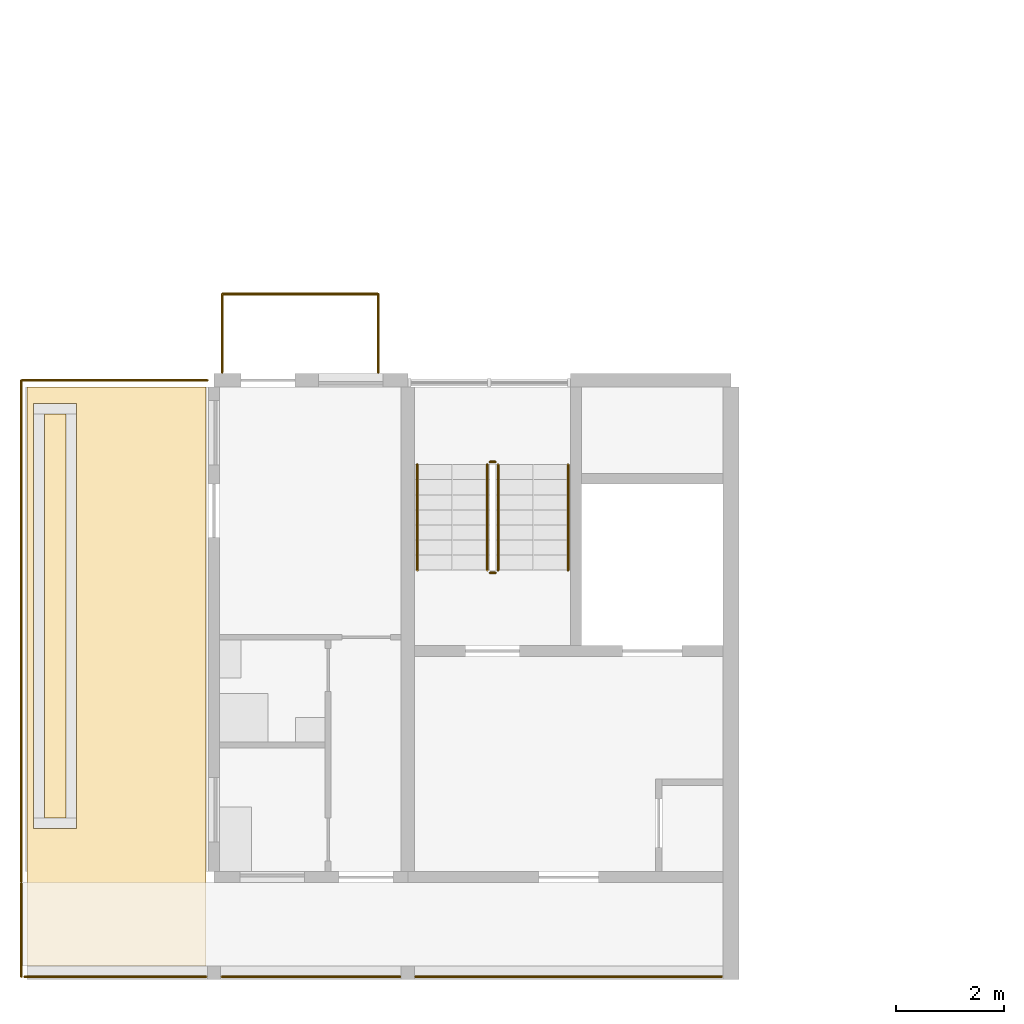
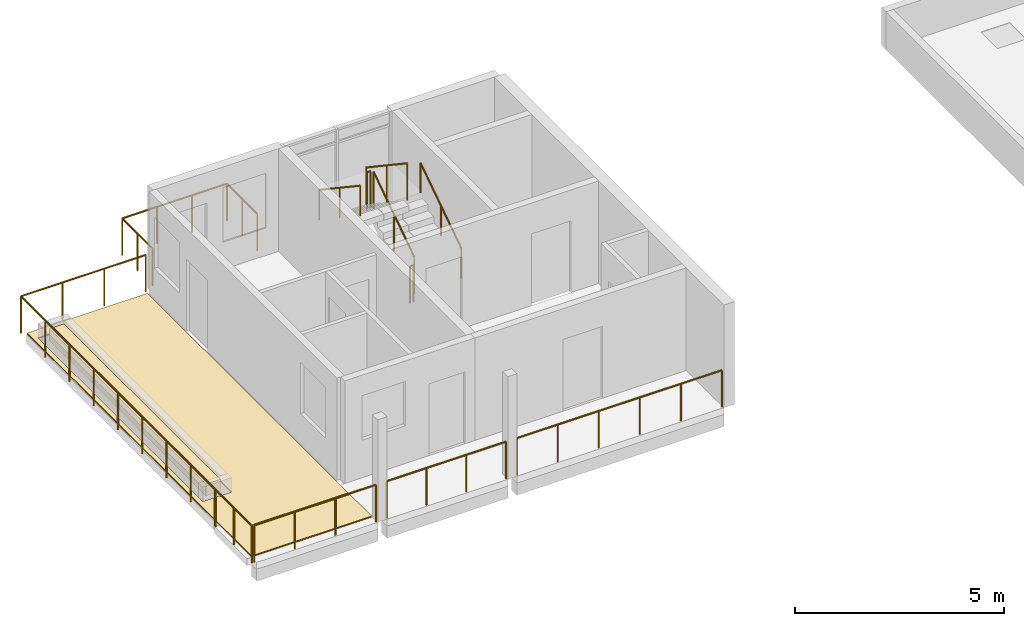
# One storey, part 31 of 41: 12 railings, 3 coverings.
"""IFC4 building model written with IfcOpenShell, lengths in metres."""

from ifc_helpers import new_model, si_unit, direction, frame, origin, origin_2d, place, context, subcontext, project, spatial, polyline, circle, outline, extrude, material, layer, layer_set, type_object, element, save


model = new_model("IFC4")

# Units and contexts
model_context = context("Model", 3, precision=1e-05, world=origin(), true_north=direction((0.0, 1.0)))
body_context = subcontext(model_context, "Body", "Model", "MODEL_VIEW")
ifc_project = project(units=[si_unit("LENGTHUNIT", "METRE"), si_unit("AREAUNIT", "SQUARE_METRE"), si_unit("VOLUMEUNIT", "CUBIC_METRE"), si_unit("PLANEANGLEUNIT", "RADIAN"), si_unit("MASSUNIT", "GRAM", prefix="KILO")], contexts=[model_context])

# Site, building, storey
site_placement = place(None, origin())
site = spatial("IfcSite", under=ifc_project, at=site_placement, CompositionType="ELEMENT")
building_placement = place(site_placement, origin())
building = spatial("IfcBuilding", under=site, at=building_placement, Name="Ridgestep Commons", CompositionType="ELEMENT")
storey_placement = place(building_placement, frame((0.0, 0.0, 39.0)))
storey = spatial("IfcBuildingStorey", under=building, at=storey_placement, Name="L13", CompositionType="ELEMENT", Elevation=39.0)

# Railings
ifc_material_1 = material(Name="Structural steel S355JR", Category="steel")
railing_type_1 = type_object("IfcRailingType", Name="Guard 1100", PredefinedType="GUARDRAIL", material=ifc_material_1)
railing_1_placement = place(storey_placement, frame((15.62109375, 13.571044921875, 0.0)))
element("IfcRailing", 1, at=railing_1_placement, inside=storey, type_object=railing_type_1, Name="Guard TD-A1R2-GD", PredefinedType="GUARDRAIL", context=body_context, shape_type="SweptSolid", body=[
    extrude(circle(Radius=0.02392578125, at=origin_2d()), frame((0.0, 0.0, 1.076171875), z_axis=(0.0, 1.0, 0.0), x_axis=(-1.0, 0.0, 0.0)), (0.0, 0.0, 1.0), 9.303955078125),
    extrude(circle(Radius=0.02392578125, at=origin_2d()), frame((0.0, 9.303955078125, 1.076171875), z_axis=(1.0, 0.0, 0.0), x_axis=(0.0, 1.0, 0.0)), (0.0, 0.0, 1.0), 3.4580078125),
    extrude(circle(Radius=0.02099609375, at=origin_2d()), origin(), (0.0, 0.0, 1.0), 1.052001953125),
    extrude(circle(Radius=0.02099609375, at=origin_2d()), frame((0.0, 1.1630859375, 0.0)), (0.0, 0.0, 1.0), 1.052001953125),
    extrude(circle(Radius=0.02099609375, at=origin_2d()), frame((0.0, 2.325927734375, 0.0)), (0.0, 0.0, 1.0), 1.052001953125),
    extrude(circle(Radius=0.02099609375, at=origin_2d()), frame((0.0, 3.489013671875, 0.0)), (0.0, 0.0, 1.0), 1.052001953125),
    extrude(circle(Radius=0.02099609375, at=origin_2d()), frame((0.0, 4.65185546875, 0.0)), (0.0, 0.0, 1.0), 1.052001953125),
    extrude(circle(Radius=0.02099609375, at=origin_2d()), frame((0.0, 5.81494140625, 0.0)), (0.0, 0.0, 1.0), 1.052001953125),
    extrude(circle(Radius=0.02099609375, at=origin_2d()), frame((0.0, 6.97802734375, 0.0)), (0.0, 0.0, 1.0), 1.052001953125),
    extrude(circle(Radius=0.02099609375, at=origin_2d()), frame((0.0, 8.140869140625, 0.0)), (0.0, 0.0, 1.0), 1.052001953125),
    extrude(circle(Radius=0.02099609375, at=origin_2d()), frame((0.0, 9.303955078125, 0.0)), (0.0, 0.0, 1.0), 1.052001953125),
    extrude(circle(Radius=0.02099609375, at=origin_2d()), frame((1.152587890625, 9.303955078125, 0.0)), (0.0, 0.0, 1.0), 1.052001953125),
    extrude(circle(Radius=0.02099609375, at=origin_2d()), frame((2.305419921875, 9.303955078125, 0.0)), (0.0, 0.0, 1.0), 1.052001953125),
    extrude(circle(Radius=0.02099609375, at=origin_2d()), frame((3.4580078125, 9.303955078125, 0.0)), (0.0, 0.0, 1.0), 1.052001953125),
])
railing_2_placement = place(storey_placement, frame((15.68408203125, 11.800048828125, 0.0)))
element("IfcRailing", 2, at=railing_2_placement, inside=storey, type_object=railing_type_1, Name="Gallery guard A 13.1", PredefinedType="GUARDRAIL", context=body_context, shape_type="SweptSolid", body=[
    extrude(circle(Radius=0.02392578125, at=origin_2d()), frame((0.0, 0.0, 1.076171875), z_axis=(1.0, 0.0, 0.0), x_axis=(0.0, 1.0, 0.0)), (0.0, 0.0, 1.0), 3.369873046875),
    extrude(circle(Radius=0.02099609375, at=origin_2d()), origin(), (0.0, 0.0, 1.0), 1.052001953125),
    extrude(circle(Radius=0.02099609375, at=origin_2d()), frame((1.123291015625, 0.0, 0.0)), (0.0, 0.0, 1.0), 1.052001953125),
    extrude(circle(Radius=0.02099609375, at=origin_2d()), frame((2.24658203125, 0.0, 0.0)), (0.0, 0.0, 1.0), 1.052001953125),
    extrude(circle(Radius=0.02099609375, at=origin_2d()), frame((3.369873046875, 0.0, 0.0)), (0.0, 0.0, 1.0), 1.052001953125),
])
railing_3_placement = place(storey_placement, frame((15.62109375, 11.800048828125, 0.0)))
element("IfcRailing", 3, at=railing_3_placement, inside=storey, type_object=railing_type_1, Name="Gallery end guard A 13.1W", PredefinedType="GUARDRAIL", context=body_context, shape_type="SweptSolid", body=[
    extrude(circle(Radius=0.02392578125, at=origin_2d()), frame((0.0, 0.0, 1.076171875), z_axis=(0.0, 1.0, 0.0), x_axis=(-1.0, 0.0, 0.0)), (0.0, 0.0, 1.0), 1.72900390625),
    extrude(circle(Radius=0.02099609375, at=origin_2d()), origin(), (0.0, 0.0, 1.0), 1.052001953125),
    extrude(circle(Radius=0.02099609375, at=origin_2d()), frame((0.0, 0.864501953125, 0.0)), (0.0, 0.0, 1.0), 1.052001953125),
    extrude(circle(Radius=0.02099609375, at=origin_2d()), frame((0.0, 1.72900390625, 0.0)), (0.0, 0.0, 1.0), 1.052001953125),
])
railing_4_placement = place(storey_placement, frame((19.345947265625, 11.800048828125, 0.0)))
element("IfcRailing", 4, at=railing_4_placement, inside=storey, type_object=railing_type_1, Name="Gallery guard A 13.2", PredefinedType="GUARDRAIL", context=body_context, shape_type="SweptSolid", body=[
    extrude(circle(Radius=0.02392578125, at=origin_2d()), frame((0.0, 0.0, 1.076171875), z_axis=(1.0, 0.0, 0.0), x_axis=(0.0, 1.0, 0.0)), (0.0, 0.0, 1.0), 3.30810546875),
    extrude(circle(Radius=0.02099609375, at=origin_2d()), origin(), (0.0, 0.0, 1.0), 1.052001953125),
    extrude(circle(Radius=0.02099609375, at=origin_2d()), frame((1.102783203125, 0.0, 0.0)), (0.0, 0.0, 1.0), 1.052001953125),
    extrude(circle(Radius=0.02099609375, at=origin_2d()), frame((2.205322265625, 0.0, 0.0)), (0.0, 0.0, 1.0), 1.052001953125),
    extrude(circle(Radius=0.02099609375, at=origin_2d()), frame((3.30810546875, 0.0, 0.0)), (0.0, 0.0, 1.0), 1.052001953125),
])
railing_5_placement = place(storey_placement, frame((22.946044921875, 11.800048828125, 0.0)))
element("IfcRailing", 5, at=railing_5_placement, inside=storey, type_object=railing_type_1, Name="Gallery guard A 13.3", PredefinedType="GUARDRAIL", context=body_context, shape_type="SweptSolid", body=[
    extrude(circle(Radius=0.02392578125, at=origin_2d()), frame((0.0, 0.0, 1.076171875), z_axis=(1.0, 0.0, 0.0), x_axis=(0.0, 1.0, 0.0)), (0.0, 0.0, 1.0), 5.682861328125),
    extrude(circle(Radius=0.02099609375, at=origin_2d()), origin(), (0.0, 0.0, 1.0), 1.052001953125),
    extrude(circle(Radius=0.02099609375, at=origin_2d()), frame((1.136474609375, 0.0, 0.0)), (0.0, 0.0, 1.0), 1.052001953125),
    extrude(circle(Radius=0.02099609375, at=origin_2d()), frame((2.273193359375, 0.0, 0.0)), (0.0, 0.0, 1.0), 1.052001953125),
    extrude(circle(Radius=0.02099609375, at=origin_2d()), frame((3.40966796875, 0.0, 0.0)), (0.0, 0.0, 1.0), 1.052001953125),
    extrude(circle(Radius=0.02099609375, at=origin_2d()), frame((4.54638671875, 0.0, 0.0)), (0.0, 0.0, 1.0), 1.052001953125),
    extrude(circle(Radius=0.02099609375, at=origin_2d()), frame((5.682861328125, 0.0, 0.0)), (0.0, 0.0, 1.0), 1.052001953125),
])

# Covering
ifc_material_2 = material(Name="Planting soil")
ifc_layer_1 = layer(ifc_material_2, 0.35009765625)
ifc_layer_set_1 = layer_set([ifc_layer_1], Name="Planting soil 350")
covering_type_1 = type_object("IfcCoveringType", Name="Planting soil 350", PredefinedType="FLOORING", material=ifc_layer_set_1)
covering_1_placement = place(storey_placement, frame((0.0, 0.0, 0.010009765625)))
element("IfcCovering", 6, at=covering_1_placement, inside=storey, type_object=covering_type_1, Name="Planting soil A1R2", PredefinedType="FLOORING", context=body_context, shape_type="SweptSolid", body=[
    extrude(outline(polyline([(16.050048828125, 14.75), (16.449951171875, 14.75), (16.449951171875, 22.25), (16.050048828125, 22.25), (16.050048828125, 14.75)])), origin(), (0.0, 0.0, 1.0), 0.35009765625),
])

# Railings
ifc_material_3 = material(Name="Structural steel S355JR", Category="steel")
railing_type_2 = type_object("IfcRailingType", Name="Stair guard 1100", PredefinedType="GUARDRAIL", material=ifc_material_3)
railing_6_placement = place(storey_placement, frame((24.47509765625, 19.35009765625, 0.1875)))
element("IfcRailing", 7, at=railing_6_placement, inside=storey, type_object=railing_type_2, Name="L13 A1C stair guard 1", PredefinedType="GUARDRAIL", context=body_context, shape_type="SweptSolid", body=[
    extrude(circle(Radius=0.02392578125, at=origin_2d()), frame((0.0, 0.0, 1.076171875), z_axis=(0.0, 0.830902050051, 0.556418712142), x_axis=(-1.0, 0.0, 0.0)), (0.0, 0.0, 1.0), 2.35888671875),
    extrude(circle(Radius=0.02099609375, at=origin_2d()), origin(), (0.0, 0.0, 1.0), 1.052001953125),
    extrude(circle(Radius=0.02099609375, at=origin_2d()), frame((0.0, 0.97998046875, 0.65625)), (0.0, 0.0, 1.0), 1.052001953125),
    extrude(circle(Radius=0.02099609375, at=origin_2d()), frame((0.0, 1.9599609375, 1.3125)), (0.0, 0.0, 1.0), 1.052001953125),
])
railing_7_placement = place(storey_placement, frame((24.425048828125, 21.360107421875, 1.5)))
element("IfcRailing", 8, at=railing_7_placement, inside=storey, type_object=railing_type_2, Name="L13 A1C stair guard 2", PredefinedType="GUARDRAIL", context=body_context, shape_type="SweptSolid", body=[
    extrude(circle(Radius=0.02392578125, at=origin_2d()), frame((0.0, 0.0, 1.076171875), z_axis=(-1.0, 0.0, 0.0), x_axis=(0.0, -1.0, 0.0)), (0.0, 0.0, 1.0), 0.10009765625),
    extrude(circle(Radius=0.02099609375, at=origin_2d()), origin(), (0.0, 0.0, 1.0), 1.052001953125),
    extrude(circle(Radius=0.02099609375, at=origin_2d()), frame((-0.10009765625, 0.0, 0.0)), (0.0, 0.0, 1.0), 1.052001953125),
])
railing_8_placement = place(storey_placement, frame((24.27490234375, 21.31005859375, 1.6875)))
element("IfcRailing", 9, at=railing_8_placement, inside=storey, type_object=railing_type_2, Name="L13 A1C stair guard 3", PredefinedType="GUARDRAIL", context=body_context, shape_type="SweptSolid", body=[
    extrude(circle(Radius=0.02392578125, at=origin_2d()), frame((0.0, 0.0, 1.076171875), z_axis=(0.0, -0.830902050051, 0.556418712142), x_axis=(1.0, 0.0, 0.0)), (0.0, 0.0, 1.0), 2.35888671875),
    extrude(circle(Radius=0.02099609375, at=origin_2d()), origin(), (0.0, 0.0, 1.0), 1.052001953125),
    extrude(circle(Radius=0.02099609375, at=origin_2d()), frame((0.0, -0.97998046875, 0.65625)), (0.0, 0.0, 1.0), 1.052001953125),
    extrude(circle(Radius=0.02099609375, at=origin_2d()), frame((0.0, -1.9599609375, 1.3125)), (0.0, 0.0, 1.0), 1.052001953125),
])
railing_9_placement = place(storey_placement, frame((24.425048828125, 19.300048828125, 0.0)))
element("IfcRailing", 10, at=railing_9_placement, inside=storey, type_object=railing_type_2, Name="L13 A1C stair guard 4", PredefinedType="GUARDRAIL", context=body_context, shape_type="SweptSolid", body=[
    extrude(circle(Radius=0.02392578125, at=origin_2d()), frame((0.0, 0.0, 1.076171875), z_axis=(-1.0, 0.0, 0.0), x_axis=(0.0, -1.0, 0.0)), (0.0, 0.0, 1.0), 0.10009765625),
    extrude(circle(Radius=0.02099609375, at=origin_2d()), origin(), (0.0, 0.0, 1.0), 1.052001953125),
    extrude(circle(Radius=0.02099609375, at=origin_2d()), frame((-0.10009765625, 0.0, 0.0)), (0.0, 0.0, 1.0), 1.052001953125),
])
ifc_material_4 = material(Name="Structural steel S355JR", Category="steel")
railing_type_3 = type_object("IfcRailingType", Name="Stair handrail 900", PredefinedType="HANDRAIL", material=ifc_material_4)
railing_10_placement = place(storey_placement, frame((25.77490234375, 19.35009765625, 0.1875)))
element("IfcRailing", 11, at=railing_10_placement, inside=storey, type_object=railing_type_3, Name="L13 A1C stair handrail 1", PredefinedType="HANDRAIL", context=body_context, shape_type="SweptSolid", body=[
    extrude(circle(Radius=0.02392578125, at=origin_2d()), frame((0.0, 0.0, 0.8759765625), z_axis=(0.0, 0.830902050051, 0.556418712142), x_axis=(-1.0, 0.0, 0.0)), (0.0, 0.0, 1.0), 2.35888671875),
    extrude(circle(Radius=0.02099609375, at=origin_2d()), origin(), (0.0, 0.0, 1.0), 0.851806640625),
    extrude(circle(Radius=0.02099609375, at=origin_2d()), frame((0.0, 0.97998046875, 0.65625)), (0.0, 0.0, 1.0), 0.851806640625),
    extrude(circle(Radius=0.02099609375, at=origin_2d()), frame((0.0, 1.9599609375, 1.3125)), (0.0, 0.0, 1.0), 0.851806640625),
])
railing_11_placement = place(storey_placement, frame((22.97509765625, 21.31005859375, 1.6875)))
element("IfcRailing", 12, at=railing_11_placement, inside=storey, type_object=railing_type_3, Name="L13 A1C stair handrail 2", PredefinedType="HANDRAIL", context=body_context, shape_type="SweptSolid", body=[
    extrude(circle(Radius=0.02392578125, at=origin_2d()), frame((0.0, 0.0, 0.8759765625), z_axis=(0.0, -0.830902050051, 0.556418712142), x_axis=(1.0, 0.0, 0.0)), (0.0, 0.0, 1.0), 2.35888671875),
    extrude(circle(Radius=0.02099609375, at=origin_2d()), origin(), (0.0, 0.0, 1.0), 0.851806640625),
    extrude(circle(Radius=0.02099609375, at=origin_2d()), frame((0.0, -0.97998046875, 0.65625)), (0.0, 0.0, 1.0), 0.851806640625),
    extrude(circle(Radius=0.02099609375, at=origin_2d()), frame((0.0, -1.9599609375, 1.3125)), (0.0, 0.0, 1.0), 0.851806640625),
])

# Coverings
ifc_material_5 = material(Name="Bitumen membrane, two layer")
ifc_layer_2 = layer(ifc_material_5, 0.010009765625)
ifc_layer_set_2 = layer_set([ifc_layer_2], Name="Terrace membrane 10")
covering_type_2 = type_object("IfcCoveringType", Name="Terrace membrane 10", PredefinedType="ROOFING", material=ifc_layer_set_2)
covering_2_placement = place(storey_placement, origin())
element("IfcCovering", 13, at=covering_2_placement, inside=storey, type_object=covering_type_2, Name="Terrace membrane A1R2", PredefinedType="ROOFING", context=body_context, shape_type="SweptSolid", body=[
    extrude(outline(polyline([(19.050048828125, 12.0), (19.050048828125, 22.75), (15.72509765625, 22.75), (15.72509765625, 12.0), (19.050048828125, 12.0)]), holes=[polyline([(16.64990234375, 14.550048828125), (16.64990234375, 22.449951171875), (15.85009765625, 22.449951171875), (15.85009765625, 14.550048828125), (16.64990234375, 14.550048828125)])]), origin(), (0.0, 0.0, 1.0), 0.010009765625),
])
ifc_material_6 = material(Name="Concrete paving slab", Category="concrete")
ifc_layer_3 = layer(ifc_material_6, 0.030029296875)
ifc_layer_set_3 = layer_set([ifc_layer_3], Name="Terrace paving 30")
covering_type_3 = type_object("IfcCoveringType", Name="Terrace paving 30", PredefinedType="FLOORING", material=ifc_layer_set_3)
covering_3_placement = place(storey_placement, frame((0.0, 0.0, 0.010009765625)))
element("IfcCovering", 14, at=covering_3_placement, inside=storey, type_object=covering_type_3, Name="Terrace paving A1R2", PredefinedType="FLOORING", context=body_context, shape_type="SweptSolid", body=[
    extrude(outline(polyline([(19.050048828125, 12.0), (19.050048828125, 22.75), (15.72509765625, 22.75), (15.72509765625, 12.0), (19.050048828125, 12.0)]), holes=[polyline([(16.64990234375, 14.550048828125), (16.64990234375, 22.449951171875), (15.85009765625, 22.449951171875), (15.85009765625, 14.550048828125), (16.64990234375, 14.550048828125)])]), origin(), (0.0, 0.0, 1.0), 0.030029296875),
])

# Railing
ifc_material_7 = material(Name="Weathering steel S355J2W", Category="steel")
railing_type_4 = type_object("IfcRailingType", Name="Tray guard 1100", PredefinedType="GUARDRAIL", material=ifc_material_7)
railing_12_placement = place(storey_placement, frame((19.35107421875, 23.02099609375, 0.0)))
element("IfcRailing", 15, at=railing_12_placement, inside=storey, type_object=railing_type_4, Name="Tray guard A1T3-13", PredefinedType="GUARDRAIL", context=body_context, shape_type="SweptSolid", body=[
    extrude(circle(Radius=0.02392578125, at=origin_2d()), frame((0.0, 0.0, 1.076171875), z_axis=(0.0, 1.0, 0.0), x_axis=(-1.0, 0.0, 0.0)), (0.0, 0.0, 1.0), 1.4580078125),
    extrude(circle(Radius=0.02392578125, at=origin_2d()), frame((0.0, 1.4580078125, 1.076171875), z_axis=(1.0, 0.0, 0.0), x_axis=(0.0, 1.0, 0.0)), (0.0, 0.0, 1.0), 2.89794921875),
    extrude(circle(Radius=0.02392578125, at=origin_2d()), frame((2.89794921875, 1.4580078125, 1.076171875), z_axis=(0.0, -1.0, 0.0), x_axis=(1.0, 0.0, 0.0)), (0.0, 0.0, 1.0), 1.4580078125),
    extrude(circle(Radius=0.02099609375, at=origin_2d()), origin(), (0.0, 0.0, 1.0), 1.052001953125),
    extrude(circle(Radius=0.02099609375, at=origin_2d()), frame((0.0, 0.72900390625, 0.0)), (0.0, 0.0, 1.0), 1.052001953125),
    extrude(circle(Radius=0.02099609375, at=origin_2d()), frame((0.0, 1.4580078125, 0.0)), (0.0, 0.0, 1.0), 1.052001953125),
    extrude(circle(Radius=0.02099609375, at=origin_2d()), frame((0.966064453125, 1.4580078125, 0.0)), (0.0, 0.0, 1.0), 1.052001953125),
    extrude(circle(Radius=0.02099609375, at=origin_2d()), frame((1.931884765625, 1.4580078125, 0.0)), (0.0, 0.0, 1.0), 1.052001953125),
    extrude(circle(Radius=0.02099609375, at=origin_2d()), frame((2.89794921875, 1.4580078125, 0.0)), (0.0, 0.0, 1.0), 1.052001953125),
    extrude(circle(Radius=0.02099609375, at=origin_2d()), frame((2.89794921875, 0.72900390625, 0.0)), (0.0, 0.0, 1.0), 1.052001953125),
    extrude(circle(Radius=0.02099609375, at=origin_2d()), frame((2.89794921875, 0.0, 0.0)), (0.0, 0.0, 1.0), 1.052001953125),
])

save(model, "model.ifc")
